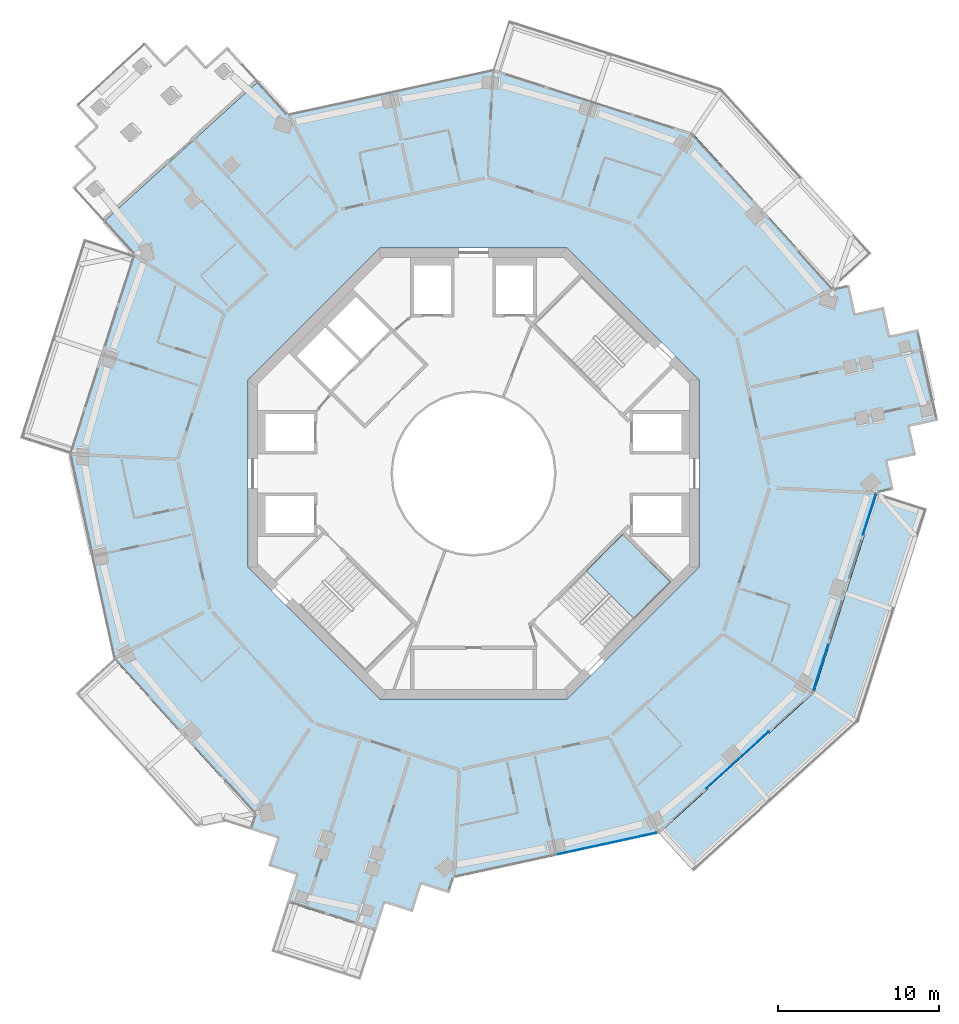
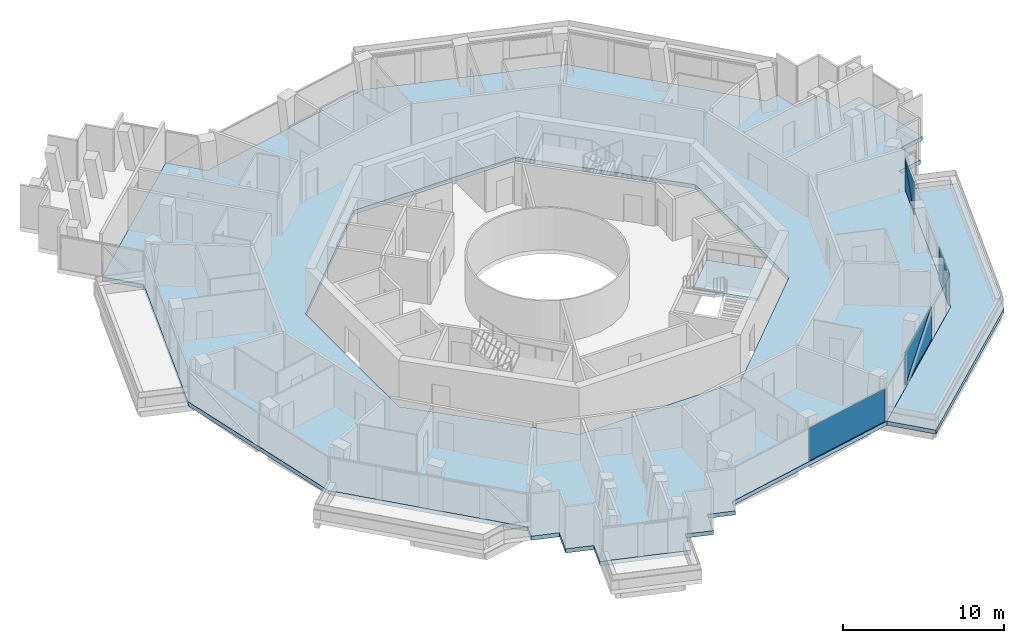
# One storey, part 12 of 23: 6 plates, 3 slabs, 4 elements without a shape of their own.
"""IFC4 building model written with IfcOpenShell, lengths in metres."""

from ifc_helpers import new_model, si_unit, direction, frame, origin, origin_2d, place, context, subcontext, project, spatial, polyline, rectangle, outline, extrude, material, layer, layer_set, type_object, element, aggregate, save


model = new_model("IFC4")

# Units and contexts
model_context = context("Model", 3, precision=1e-05, world=origin(), true_north=direction((0.0, 1.0)))
body_context = subcontext(model_context, "Body", "Model", "MODEL_VIEW")
ifc_project = project(units=[si_unit("LENGTHUNIT", "METRE"), si_unit("AREAUNIT", "SQUARE_METRE"), si_unit("VOLUMEUNIT", "CUBIC_METRE"), si_unit("PLANEANGLEUNIT", "RADIAN"), si_unit("MASSUNIT", "GRAM", prefix="KILO")], contexts=[model_context])

# Site, building, storey
site_placement = place(None, origin())
site = spatial("IfcSite", under=ifc_project, at=site_placement, CompositionType="ELEMENT")
building_placement = place(site_placement, origin())
building = spatial("IfcBuilding", under=site, at=building_placement, Name="Verdalira Terraces Hotel", CompositionType="ELEMENT")
storey_placement = place(building_placement, frame((0.0, 0.0, 205.5)))
storey = spatial("IfcBuildingStorey", under=building, at=storey_placement, Name="L50", CompositionType="ELEMENT", Elevation=205.5)

# Slab
ifc_material_1 = material(Name="Precast concrete C40/50", Category="concrete")
ifc_layer_1 = layer(ifc_material_1, 0.31005859375)
ifc_layer_set_1 = layer_set([ifc_layer_1], Name="Balcony deck 310")
slab_type_1 = type_object("IfcSlabType", Name="Balcony deck 310", PredefinedType="FLOOR", material=ifc_layer_set_1)
slab_1_placement = place(storey_placement, frame((0.0, 0.0, -0.310059)))
element("IfcSlab", 1, at=slab_1_placement, inside=storey, type_object=slab_type_1, Name="Balcony deck", PredefinedType="FLOOR", context=body_context, shape_type="SweptSolid", body=[
    extrude(outline(polyline([(28.132324, -2.185303), (25.084961, -1.209229), (21.119629, -13.589844), (11.495117, -22.328857), (13.64624, -24.697998), (23.905518, -15.382324), (28.132324, -2.185303)])), origin(), (0.0, 0.0, 1.0), 0.310059),
])

# Curtain wall, plate
ifc_material_2 = material(Name="Clear glass", Category="glass")
ifc_layer_2 = layer(ifc_material_2, 0.14990234375)
ifc_layer_set_2 = layer_set([ifc_layer_2], Name="CW1 curtain wall")
curtain_wall_type = type_object("IfcCurtainWallType", Name="CW1 curtain wall", PredefinedType="NOTDEFINED", material=ifc_layer_set_2)
curtain_wall_1_placement = place(storey_placement, origin())
curtain_wall_1 = element("IfcCurtainWall", 2, at=curtain_wall_1_placement, inside=storey, type_object=curtain_wall_type, Name="CW1 curtain wall L50 edge 25", PredefinedType="NOTDEFINED")
ifc_material_3 = material(Name="Clear glass", Category="glass")
ifc_layer_3 = layer(ifc_material_3, 0.028076171875)
ifc_layer_set_3 = layer_set([ifc_layer_3], Name="CW1 glass unit 28")
plate_type = type_object("IfcPlateType", Name="CW1 glass unit 28", PredefinedType="CURTAIN_PANEL", material=ifc_layer_set_3)
plate_1_placement = place(storey_placement, frame((8.268799, -22.951904, 0.0), z_axis=(0.0, 0.0, 1.0), x_axis=(0.977268124, 0.21200711, 0.0)))
plate_1 = element("IfcPlate", 3, at=plate_1_placement, type_object=plate_type, Name="CW1 glass unit", PredefinedType="CURTAIN_PANEL", context=body_context, shape_type="SweptSolid", body=[
    extrude(rectangle(XDim=6.369873, YDim=0.028076, at=origin_2d()), origin(), (0.0, 0.0, 1.0), 2.475098),
])
aggregate(curtain_wall_1, [plate_1])

# Curtain wall, plates
curtain_wall_2_placement = place(storey_placement, origin())
curtain_wall_2 = element("IfcCurtainWall", 4, at=curtain_wall_2_placement, inside=storey, type_object=curtain_wall_type, Name="CW1 curtain wall L50 edge 26", PredefinedType="NOTDEFINED")
plate_2_placement = place(storey_placement, frame((16.380127, -17.772705, 1.237549), z_axis=(0.672237605, -0.740335466, 0.0), x_axis=(0.740335466, 0.672237605, 0.0)))
plate_2 = element("IfcPlate", 5, at=plate_2_placement, type_object=plate_type, Name="CW1 glass unit", PredefinedType="CURTAIN_PANEL", context=body_context, shape_type="SweptSolid", body=[
    extrude(outline(polyline([(-2.611816, -1.237549), (2.611816, -1.237549), (2.611816, 1.237549), (-2.611816, -1.237549)])), origin(), (0.0, 0.0, 1.0), 0.028076),
])
plate_3_placement = place(storey_placement, frame((16.360596, -17.751221, 1.237549), z_axis=(0.672237605, -0.740335466, 0.0), x_axis=(0.740335466, 0.672237605, 0.0)))
plate_3 = element("IfcPlate", 6, at=plate_3_placement, type_object=plate_type, Name="CW1 glass unit", PredefinedType="CURTAIN_PANEL", context=body_context, shape_type="SweptSolid", body=[
    extrude(outline(polyline([(-2.611816, -1.237549), (2.611816, 1.237549), (-2.611816, 1.237549), (-2.611816, -1.237549)])), origin(), (0.0, 0.0, 1.0), 0.028076),
])
aggregate(curtain_wall_2, [plate_2, plate_3])

curtain_wall_3_placement = place(storey_placement, origin())
curtain_wall_3 = element("IfcCurtainWall", 7, at=curtain_wall_3_placement, inside=storey, type_object=curtain_wall_type, Name="CW1 curtain wall L50 edge 27", PredefinedType="NOTDEFINED")
plate_4_placement = place(storey_placement, frame((21.536133, -12.042969, 0.0), z_axis=(0.0, 0.0, 1.0), x_axis=(0.305030519, 0.952342576, 0.0)))
plate_4 = element("IfcPlate", 8, at=plate_4_placement, type_object=plate_type, Name="CW1 glass unit", PredefinedType="CURTAIN_PANEL", context=body_context, shape_type="SweptSolid", body=[
    extrude(rectangle(XDim=2.999756, YDim=0.028076, at=origin_2d()), origin(), (0.0, 0.0, 1.0), 2.475098),
])
plate_5_placement = place(storey_placement, frame((24.573242, -2.514648, 1.237549), z_axis=(0.952342576, -0.305030519, 0.0), x_axis=(0.305030519, 0.952342576, 0.0)))
plate_5 = element("IfcPlate", 9, at=plate_5_placement, type_object=plate_type, Name="CW1 glass unit", PredefinedType="CURTAIN_PANEL", context=body_context, shape_type="SweptSolid", body=[
    extrude(outline(polyline([(-1.339355, -1.237549), (1.339355, -1.237549), (1.339355, 1.237549), (-1.339355, -1.237549)])), origin(), (0.0, 0.0, 1.0), 0.028076),
])
plate_6_placement = place(storey_placement, frame((24.545654, -2.505859, 1.237549), z_axis=(0.952342576, -0.305030519, 0.0), x_axis=(0.305030519, 0.952342576, 0.0)))
plate_6 = element("IfcPlate", 10, at=plate_6_placement, type_object=plate_type, Name="CW1 glass unit", PredefinedType="CURTAIN_PANEL", context=body_context, shape_type="SweptSolid", body=[
    extrude(outline(polyline([(-1.339355, -1.237549), (1.339355, 1.237549), (-1.339355, 1.237549), (-1.339355, -1.237549)])), origin(), (0.0, 0.0, 1.0), 0.028076),
])
aggregate(curtain_wall_3, [plate_4, plate_5, plate_6])

# Stair, slab
ifc_material_4 = material(Name="Concrete C40", Category="concrete")
stair_type = type_object("IfcStairType", Name="Core stair 20 risers 2050 mm wide", PredefinedType="HALF_TURN_STAIR", material=ifc_material_4)
stair_placement = place(storey_placement, origin())
stair = element("IfcStair", 11, at=stair_placement, inside=storey, type_object=stair_type, Name="L50 Exit stair ST3", PredefinedType="HALF_TURN_STAIR")
ifc_material_5 = material(Name="Concrete C40", Category="concrete")
ifc_layer_4 = layer(ifc_material_5, 0.199951171875)
ifc_layer_set_4 = layer_set([ifc_layer_4], Name="Core stair landing 200 mm")
slab_type_2 = type_object("IfcSlabType", Name="Core stair landing 200 mm", PredefinedType="LANDING", material=ifc_layer_set_4)
slab_2_placement = place(storey_placement, frame((0.0, 0.0, 1.550049)))
slab_2 = element("IfcSlab", 12, at=slab_2_placement, type_object=slab_type_2, Name="ST3 landing 1", PredefinedType="LANDING", context=body_context, shape_type="SweptSolid", body=[
    extrude(outline(polyline([(9.94873, -9.001709), (12.23291, -6.717529), (9.263184, -3.747559), (6.97876, -6.031982), (9.94873, -9.001709)])), origin(), (0.0, 0.0, 1.0), 0.199951),
])
aggregate(stair, [slab_2])

# Slab
ifc_material_6 = material(Name="Concrete C40", Category="concrete")
ifc_layer_5 = layer(ifc_material_6, 0.31005859375)
ifc_layer_set_5 = layer_set([ifc_layer_5], Name="Floor slab 310 C40")
slab_type_3 = type_object("IfcSlabType", Name="Floor slab 310 C40", PredefinedType="FLOOR", material=ifc_layer_set_5)
slab_3_placement = place(storey_placement, frame((0.0, 0.0, -0.310059)))
element("IfcSlab", 13, at=slab_3_placement, inside=storey, type_object=slab_type_3, Name="Floor slab L50", PredefinedType="FLOOR", context=body_context, shape_type="SweptSolid", body=[
    extrude(outline(polyline([(1.209229, 25.084961), (-11.495117, 22.328857), (-13.325439, 24.344482), (-22.949951, 15.605469), (-21.119385, 13.589844), (-25.084961, 1.209229), (-22.328857, -11.495117), (-13.589844, -21.119385), (-13.894775, -22.072021), (-12.180664, -22.62085), (-12.729492, -24.335205), (-11.015381, -24.884277), (-11.564453, -26.598389), (-6.041016, -28.367676), (-5.491699, -26.65332), (-3.777588, -27.202393), (-3.228516, -25.488281), (-1.514404, -26.037354), (-1.209229, -25.084961), (11.495117, -22.328857), (21.119385, -13.589844), (25.084961, -1.209229), (26.062256, -0.997314), (25.680664, 0.761719), (27.439697, 1.143311), (27.058105, 2.902588), (28.817139, 3.28418), (27.587402, 8.952148), (25.828369, 8.570557), (25.446777, 10.32959), (23.687744, 9.947998), (23.306152, 11.707275), (22.328857, 11.495117), (13.589844, 21.119385), (1.209229, 25.084961)]), holes=[polyline([(5.799072, 14.0), (14.0, 5.799072), (14.0, -5.799072), (5.799072, -14.0), (-5.799072, -14.0), (-14.0, -5.799072), (-14.0, 5.799072), (-5.799072, 14.0), (5.799072, 14.0)])]), origin(), (0.0, 0.0, 1.0), 0.310059),
])

save(model, "model.ifc")
